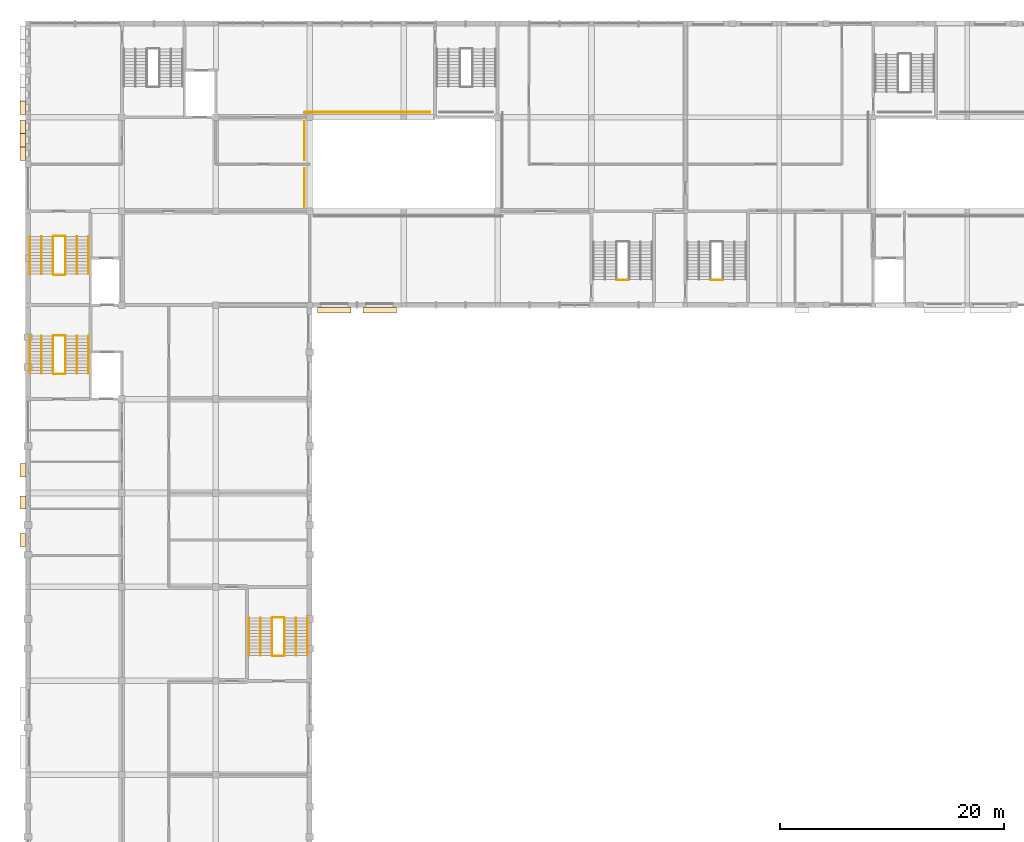
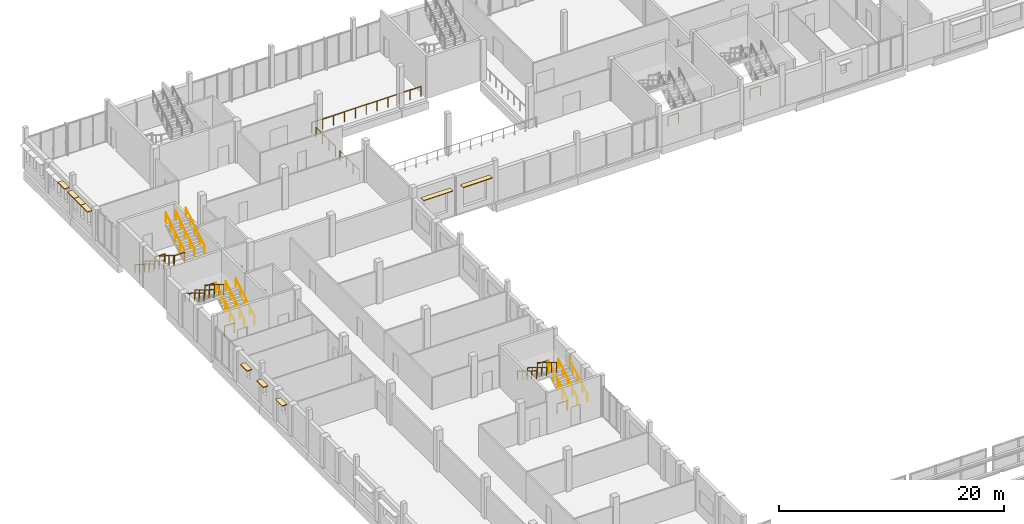
# One storey, part 111 of 116: 29 railings, 9 coverings.
"""IFC4 building model written with IfcOpenShell, lengths in metres."""

from ifc_helpers import new_model, si_unit, direction, frame, origin, origin_2d, place, context, subcontext, project, spatial, rectangle, circle, extrude, material, layer, layer_set, type_object, element, save


model = new_model("IFC4")

# Units and contexts
model_context = context("Model", 3, precision=1e-05, world=origin(), true_north=direction((0.0, 1.0)))
body_context = subcontext(model_context, "Body", "Model", "MODEL_VIEW")
ifc_project = project(units=[si_unit("LENGTHUNIT", "METRE"), si_unit("AREAUNIT", "SQUARE_METRE"), si_unit("VOLUMEUNIT", "CUBIC_METRE"), si_unit("PLANEANGLEUNIT", "RADIAN"), si_unit("MASSUNIT", "GRAM", prefix="KILO")], contexts=[model_context])

# Site, building, storey
site_placement = place(None, origin())
site = spatial("IfcSite", under=ifc_project, at=site_placement, CompositionType="ELEMENT")
building_placement = place(site_placement, origin())
building = spatial("IfcBuilding", under=site, at=building_placement, Name="Fescue Hill Polytechnic", CompositionType="ELEMENT")
storey_placement = place(building_placement, frame((0.0, 0.0, 13.5)))
storey = spatial("IfcBuildingStorey", under=building, at=storey_placement, Name="L03", CompositionType="ELEMENT", Elevation=13.5)

# Coverings
ifc_material_1 = material(Name="Precast concrete C40/50", Category="concrete")
ifc_layer = layer(ifc_material_1, 0.080078125)
ifc_layer_set = layer_set([ifc_layer], Name="Precast concrete C40/50")
covering_type = type_object("IfcCoveringType", Name="Shade blade precast 500x80", PredefinedType="CLADDING", material=ifc_layer_set)
for number, where, z_axis, x_axis, name in (
    (1, (-0.43994140625, 94.449951171875, 2.75), (0.0, 0.0, 1.0), (0.0, -1.0, 0.0), "SB-L03-V4-1"),
    (2, (-0.43994140625, 91.550048828125, 2.75), (0.0, 0.0, 1.0), (0.0, -1.0, 0.0), "SB-L03-V4-2"),
    (3, (-0.43994140625, 88.199951171875, 2.75), (0.0, 0.0, 1.0), (0.0, -1.0, 0.0), "SB-L03-V4-3"),
):
    element("IfcCovering", number, at=place(storey_placement, frame(where, z_axis=z_axis, x_axis=x_axis)), inside=storey, type_object=covering_type, Name=name, PredefinedType="CLADDING", context=body_context, shape_type="SweptSolid", body=[
        extrude(rectangle(XDim=1.199951171875, YDim=0.5, at=origin_2d()), origin(), (0.0, 0.0, 1.0), 0.080078125),
    ])
for number, where, z_axis, x_axis, name in (
    (4, (27.407470703125, 108.75, 3.050048828125), (0.0, 0.0, 1.0), (1.0, 0.0, 0.0), "SB-L03-V5-1"),
    (5, (31.4423828125, 108.75, 3.050048828125), (0.0, 0.0, 1.0), (1.0, 0.0, 0.0), "SB-L03-V5-2"),
):
    element("IfcCovering", number, at=place(storey_placement, frame(where, z_axis=z_axis, x_axis=x_axis)), inside=storey, type_object=covering_type, Name=name, PredefinedType="CLADDING", context=body_context, shape_type="SweptSolid", body=[
        extrude(rectangle(XDim=3.0, YDim=0.5, at=origin_2d()), origin(), (0.0, 0.0, 1.0), 0.080078125),
    ])
for number, where, z_axis, x_axis, name in (
    (6, (-0.4599609375, 126.85009765625, 2.849853515625), (0.0, 0.0, 1.0), (0.0, -1.0, 0.0), "SB-L03-V5-8"),
    (7, (-0.4599609375, 125.14990234375, 2.849853515625), (0.0, 0.0, 1.0), (0.0, -1.0, 0.0), "SB-L03-V5-9"),
    (8, (-0.4599609375, 123.949951171875, 2.849853515625), (0.0, 0.0, 1.0), (0.0, -1.0, 0.0), "SB-L03-V5-10"),
    (9, (-0.4599609375, 122.75, 2.849853515625), (0.0, 0.0, 1.0), (0.0, -1.0, 0.0), "SB-L03-V5-11"),
):
    element("IfcCovering", number, at=place(storey_placement, frame(where, z_axis=z_axis, x_axis=x_axis)), inside=storey, type_object=covering_type, Name=name, PredefinedType="CLADDING", context=body_context, shape_type="SweptSolid", body=[
        extrude(rectangle(XDim=1.199951171875, YDim=0.5, at=origin_2d()), origin(), (0.0, 0.0, 1.0), 0.080078125),
    ])

# Railings
ifc_material_2 = material(Name="Steel 350W (350 MPa)", Category="steel")
railing_type_1 = type_object("IfcRailingType", Name="Stair guard steel 1100", PredefinedType="GUARDRAIL", material=ifc_material_2)
railing_1_placement = place(storey_placement, frame((3.375, 103.074951171875, 0.173095703125)))
element("IfcRailing", 10, at=railing_1_placement, inside=storey, type_object=railing_type_1, Name="L03 ST-V4-2 stair guard 1", PredefinedType="GUARDRAIL", context=body_context, shape_type="SweptSolid", body=[
    extrude(circle(Radius=0.02392578125, at=origin_2d()), frame((0.0, 0.0, 1.076171875), z_axis=(0.0, 0.850623216509, 0.525775754039), x_axis=(-1.0, 0.0, 0.0)), (0.0, 0.0, 1.0), 3.9501953125),
    extrude(circle(Radius=0.02099609375, at=origin_2d()), origin(), (0.0, 0.0, 1.0), 1.052001953125),
    extrude(circle(Radius=0.02099609375, at=origin_2d()), frame((0.0, 0.840087890625, 0.519287109375)), (0.0, 0.0, 1.0), 1.052001953125),
    extrude(circle(Radius=0.02099609375, at=origin_2d()), frame((0.0, 1.68017578125, 1.03857421875)), (0.0, 0.0, 1.0), 1.052001953125),
    extrude(circle(Radius=0.02099609375, at=origin_2d()), frame((0.0, 2.52001953125, 1.5576171875)), (0.0, 0.0, 1.0), 1.052001953125),
    extrude(circle(Radius=0.02099609375, at=origin_2d()), frame((0.0, 3.360107421875, 2.076904296875)), (0.0, 0.0, 1.0), 1.052001953125),
])
railing_2_placement = place(storey_placement, frame((3.324951171875, 106.485107421875, 2.25)))
element("IfcRailing", 11, at=railing_2_placement, inside=storey, type_object=railing_type_1, Name="L03 ST-V4-2 stair guard 2", PredefinedType="GUARDRAIL", context=body_context, shape_type="SweptSolid", body=[
    extrude(circle(Radius=0.02392578125, at=origin_2d()), frame((0.0, 0.0, 1.076171875), z_axis=(-1.0, 0.0, 0.0), x_axis=(0.0, -1.0, 0.0)), (0.0, 0.0, 1.0), 1.02490234375),
    extrude(circle(Radius=0.02099609375, at=origin_2d()), origin(), (0.0, 0.0, 1.0), 1.052001953125),
    extrude(circle(Radius=0.02099609375, at=origin_2d()), frame((-1.02490234375, 0.0, 0.0)), (0.0, 0.0, 1.0), 1.052001953125),
])
railing_3_placement = place(storey_placement, frame((2.25, 106.43505859375, 2.423095703125)))
element("IfcRailing", 12, at=railing_3_placement, inside=storey, type_object=railing_type_1, Name="L03 ST-V4-2 stair guard 3", PredefinedType="GUARDRAIL", context=body_context, shape_type="SweptSolid", body=[
    extrude(circle(Radius=0.02392578125, at=origin_2d()), frame((0.0, 0.0, 1.076171875), z_axis=(0.0, -0.850623216509, 0.525775754039), x_axis=(1.0, 0.0, 0.0)), (0.0, 0.0, 1.0), 3.9501953125),
    extrude(circle(Radius=0.02099609375, at=origin_2d()), origin(), (0.0, 0.0, 1.0), 1.052001953125),
    extrude(circle(Radius=0.02099609375, at=origin_2d()), frame((0.0, -0.840087890625, 0.519287109375)), (0.0, 0.0, 1.0), 1.052001953125),
    extrude(circle(Radius=0.02099609375, at=origin_2d()), frame((0.0, -1.68017578125, 1.03857421875)), (0.0, 0.0, 1.0), 1.052001953125),
    extrude(circle(Radius=0.02099609375, at=origin_2d()), frame((0.0, -2.52001953125, 1.5576171875)), (0.0, 0.0, 1.0), 1.052001953125),
    extrude(circle(Radius=0.02099609375, at=origin_2d()), frame((0.0, -3.360107421875, 2.076904296875)), (0.0, 0.0, 1.0), 1.052001953125),
])
railing_4_placement = place(storey_placement, frame((3.324951171875, 103.02490234375, 0.0)))
element("IfcRailing", 13, at=railing_4_placement, inside=storey, type_object=railing_type_1, Name="L03 ST-V4-2 stair guard 4", PredefinedType="GUARDRAIL", context=body_context, shape_type="SweptSolid", body=[
    extrude(circle(Radius=0.02392578125, at=origin_2d()), frame((0.0, 0.0, 1.076171875), z_axis=(-1.0, 0.0, 0.0), x_axis=(0.0, -1.0, 0.0)), (0.0, 0.0, 1.0), 1.02490234375),
    extrude(circle(Radius=0.02099609375, at=origin_2d()), origin(), (0.0, 0.0, 1.0), 1.052001953125),
    extrude(circle(Radius=0.02099609375, at=origin_2d()), frame((-1.02490234375, 0.0, 0.0)), (0.0, 0.0, 1.0), 1.052001953125),
])
railing_5_placement = place(storey_placement, frame((22.949951171875, 77.875, 0.173095703125)))
element("IfcRailing", 14, at=railing_5_placement, inside=storey, type_object=railing_type_1, Name="L03 ST-V4-3 stair guard 1", PredefinedType="GUARDRAIL", context=body_context, shape_type="SweptSolid", body=[
    extrude(circle(Radius=0.02392578125, at=origin_2d()), frame((0.0, 0.0, 1.076171875), z_axis=(0.0, 0.850623216509, 0.525775754039), x_axis=(-1.0, 0.0, 0.0)), (0.0, 0.0, 1.0), 3.9501953125),
    extrude(circle(Radius=0.02099609375, at=origin_2d()), origin(), (0.0, 0.0, 1.0), 1.052001953125),
    extrude(circle(Radius=0.02099609375, at=origin_2d()), frame((0.0, 0.840087890625, 0.519287109375)), (0.0, 0.0, 1.0), 1.052001953125),
    extrude(circle(Radius=0.02099609375, at=origin_2d()), frame((0.0, 1.68017578125, 1.03857421875)), (0.0, 0.0, 1.0), 1.052001953125),
    extrude(circle(Radius=0.02099609375, at=origin_2d()), frame((0.0, 2.52001953125, 1.5576171875)), (0.0, 0.0, 1.0), 1.052001953125),
    extrude(circle(Radius=0.02099609375, at=origin_2d()), frame((0.0, 3.360107421875, 2.076904296875)), (0.0, 0.0, 1.0), 1.052001953125),
])
railing_6_placement = place(storey_placement, frame((22.89990234375, 81.284912109375, 2.25)))
element("IfcRailing", 15, at=railing_6_placement, inside=storey, type_object=railing_type_1, Name="L03 ST-V4-3 stair guard 2", PredefinedType="GUARDRAIL", context=body_context, shape_type="SweptSolid", body=[
    extrude(circle(Radius=0.02392578125, at=origin_2d()), frame((0.0, 0.0, 1.076171875), z_axis=(-1.0, 0.0, 0.0), x_axis=(0.0, -1.0, 0.0)), (0.0, 0.0, 1.0), 1.02490234375),
    extrude(circle(Radius=0.02099609375, at=origin_2d()), origin(), (0.0, 0.0, 1.0), 1.052001953125),
    extrude(circle(Radius=0.02099609375, at=origin_2d()), frame((-1.02490234375, 0.0, 0.0)), (0.0, 0.0, 1.0), 1.052001953125),
])
railing_7_placement = place(storey_placement, frame((21.824951171875, 81.235107421875, 2.423095703125)))
element("IfcRailing", 16, at=railing_7_placement, inside=storey, type_object=railing_type_1, Name="L03 ST-V4-3 stair guard 3", PredefinedType="GUARDRAIL", context=body_context, shape_type="SweptSolid", body=[
    extrude(circle(Radius=0.02392578125, at=origin_2d()), frame((0.0, 0.0, 1.076171875), z_axis=(0.0, -0.850623216509, 0.525775754039), x_axis=(1.0, 0.0, 0.0)), (0.0, 0.0, 1.0), 3.9501953125),
    extrude(circle(Radius=0.02099609375, at=origin_2d()), origin(), (0.0, 0.0, 1.0), 1.052001953125),
    extrude(circle(Radius=0.02099609375, at=origin_2d()), frame((0.0, -0.840087890625, 0.519287109375)), (0.0, 0.0, 1.0), 1.052001953125),
    extrude(circle(Radius=0.02099609375, at=origin_2d()), frame((0.0, -1.68017578125, 1.03857421875)), (0.0, 0.0, 1.0), 1.052001953125),
    extrude(circle(Radius=0.02099609375, at=origin_2d()), frame((0.0, -2.52001953125, 1.5576171875)), (0.0, 0.0, 1.0), 1.052001953125),
    extrude(circle(Radius=0.02099609375, at=origin_2d()), frame((0.0, -3.360107421875, 2.076904296875)), (0.0, 0.0, 1.0), 1.052001953125),
])
railing_8_placement = place(storey_placement, frame((22.89990234375, 77.824951171875, 0.0)))
element("IfcRailing", 17, at=railing_8_placement, inside=storey, type_object=railing_type_1, Name="L03 ST-V4-3 stair guard 4", PredefinedType="GUARDRAIL", context=body_context, shape_type="SweptSolid", body=[
    extrude(circle(Radius=0.02392578125, at=origin_2d()), frame((0.0, 0.0, 1.076171875), z_axis=(-1.0, 0.0, 0.0), x_axis=(0.0, -1.0, 0.0)), (0.0, 0.0, 1.0), 1.02490234375),
    extrude(circle(Radius=0.02099609375, at=origin_2d()), origin(), (0.0, 0.0, 1.0), 1.052001953125),
    extrude(circle(Radius=0.02099609375, at=origin_2d()), frame((-1.02490234375, 0.0, 0.0)), (0.0, 0.0, 1.0), 1.052001953125),
])
railing_9_placement = place(storey_placement, frame((2.25, 115.324951171875, 0.173095703125)))
element("IfcRailing", 18, at=railing_9_placement, inside=storey, type_object=railing_type_1, Name="L03 ST-V5-1 stair guard 1", PredefinedType="GUARDRAIL", context=body_context, shape_type="SweptSolid", body=[
    extrude(circle(Radius=0.02392578125, at=origin_2d()), frame((0.0, 0.0, 1.076171875), z_axis=(0.0, -0.850606129759, 0.525803396734), x_axis=(1.0, 0.0, 0.0)), (0.0, 0.0, 1.0), 3.949951171875),
    extrude(circle(Radius=0.02099609375, at=origin_2d()), origin(), (0.0, 0.0, 1.0), 1.052001953125),
    extrude(circle(Radius=0.02099609375, at=origin_2d()), frame((0.0, -0.83984375, 0.519287109375)), (0.0, 0.0, 1.0), 1.052001953125),
    extrude(circle(Radius=0.02099609375, at=origin_2d()), frame((0.0, -1.679931640625, 1.03857421875)), (0.0, 0.0, 1.0), 1.052001953125),
    extrude(circle(Radius=0.02099609375, at=origin_2d()), frame((0.0, -2.52001953125, 1.5576171875)), (0.0, 0.0, 1.0), 1.052001953125),
    extrude(circle(Radius=0.02099609375, at=origin_2d()), frame((0.0, -3.35986328125, 2.076904296875)), (0.0, 0.0, 1.0), 1.052001953125),
])
railing_10_placement = place(storey_placement, frame((2.300048828125, 111.9150390625, 2.25)))
element("IfcRailing", 19, at=railing_10_placement, inside=storey, type_object=railing_type_1, Name="L03 ST-V5-1 stair guard 2", PredefinedType="GUARDRAIL", context=body_context, shape_type="SweptSolid", body=[
    extrude(circle(Radius=0.02392578125, at=origin_2d()), frame((0.0, 0.0, 1.076171875), z_axis=(1.0, 0.0, 0.0), x_axis=(0.0, 1.0, 0.0)), (0.0, 0.0, 1.0), 1.02490234375),
    extrude(circle(Radius=0.02099609375, at=origin_2d()), origin(), (0.0, 0.0, 1.0), 1.052001953125),
    extrude(circle(Radius=0.02099609375, at=origin_2d()), frame((1.02490234375, 0.0, 0.0)), (0.0, 0.0, 1.0), 1.052001953125),
])
railing_11_placement = place(storey_placement, frame((3.375, 111.965087890625, 2.423095703125)))
element("IfcRailing", 20, at=railing_11_placement, inside=storey, type_object=railing_type_1, Name="L03 ST-V5-1 stair guard 3", PredefinedType="GUARDRAIL", context=body_context, shape_type="SweptSolid", body=[
    extrude(circle(Radius=0.02392578125, at=origin_2d()), frame((0.0, 0.0, 1.076171875), z_axis=(0.0, 0.850606129759, 0.525803396734), x_axis=(-1.0, 0.0, 0.0)), (0.0, 0.0, 1.0), 3.949951171875),
    extrude(circle(Radius=0.02099609375, at=origin_2d()), origin(), (0.0, 0.0, 1.0), 1.052001953125),
    extrude(circle(Radius=0.02099609375, at=origin_2d()), frame((0.0, 0.83984375, 0.519287109375)), (0.0, 0.0, 1.0), 1.052001953125),
    extrude(circle(Radius=0.02099609375, at=origin_2d()), frame((0.0, 1.679931640625, 1.03857421875)), (0.0, 0.0, 1.0), 1.052001953125),
    extrude(circle(Radius=0.02099609375, at=origin_2d()), frame((0.0, 2.52001953125, 1.5576171875)), (0.0, 0.0, 1.0), 1.052001953125),
    extrude(circle(Radius=0.02099609375, at=origin_2d()), frame((0.0, 3.35986328125, 2.076904296875)), (0.0, 0.0, 1.0), 1.052001953125),
])
railing_12_placement = place(storey_placement, frame((2.300048828125, 115.375, 0.0)))
element("IfcRailing", 21, at=railing_12_placement, inside=storey, type_object=railing_type_1, Name="L03 ST-V5-1 stair guard 4", PredefinedType="GUARDRAIL", context=body_context, shape_type="SweptSolid", body=[
    extrude(circle(Radius=0.02392578125, at=origin_2d()), frame((0.0, 0.0, 1.076171875), z_axis=(1.0, 0.0, 0.0), x_axis=(0.0, 1.0, 0.0)), (0.0, 0.0, 1.0), 1.02490234375),
    extrude(circle(Radius=0.02099609375, at=origin_2d()), origin(), (0.0, 0.0, 1.0), 1.052001953125),
    extrude(circle(Radius=0.02099609375, at=origin_2d()), frame((1.02490234375, 0.0, 0.0)), (0.0, 0.0, 1.0), 1.052001953125),
])
for number, where, name in (
    (22, (53.72509765625, 111.449951171875, 0.0), "L03 ST-V5-4 stair guard 4"),
    (23, (62.125, 111.449951171875, 0.0), "L03 ST-V4b-1 stair guard 4"),
):
    element("IfcRailing", number, at=place(storey_placement, frame(where)), inside=storey, type_object=railing_type_1, Name=name, PredefinedType="GUARDRAIL", context=body_context, shape_type="SweptSolid", body=[
        extrude(circle(Radius=0.02392578125, at=origin_2d()), frame((0.0, 0.0, 1.076171875), z_axis=(-1.0, 0.0, 0.0), x_axis=(0.0, -1.0, 0.0)), (0.0, 0.0, 1.0), 1.050048828125),
        extrude(circle(Radius=0.02099609375, at=origin_2d()), origin(), (0.0, 0.0, 1.0), 1.052001953125),
        extrude(circle(Radius=0.02099609375, at=origin_2d()), frame((-1.050048828125, 0.0, 0.0)), (0.0, 0.0, 1.0), 1.052001953125),
    ])
railing_type_2 = type_object("IfcRailingType", Name="Stair handrail steel 900", PredefinedType="HANDRAIL", material=ifc_material_2)
railing_13_placement = place(storey_placement, frame((5.425048828125, 103.074951171875, 0.173095703125)))
element("IfcRailing", 24, at=railing_13_placement, inside=storey, type_object=railing_type_2, Name="L03 ST-V4-2 stair handrail 1", PredefinedType="HANDRAIL", context=body_context, shape_type="SweptSolid", body=[
    extrude(circle(Radius=0.02392578125, at=origin_2d()), frame((0.0, 0.0, 0.8759765625), z_axis=(0.0, 0.850623216509, 0.525775754039), x_axis=(-1.0, 0.0, 0.0)), (0.0, 0.0, 1.0), 3.9501953125),
    extrude(circle(Radius=0.02099609375, at=origin_2d()), origin(), (0.0, 0.0, 1.0), 0.851806640625),
    extrude(circle(Radius=0.02099609375, at=origin_2d()), frame((0.0, 0.840087890625, 0.519287109375)), (0.0, 0.0, 1.0), 0.851806640625),
    extrude(circle(Radius=0.02099609375, at=origin_2d()), frame((0.0, 1.68017578125, 1.03857421875)), (0.0, 0.0, 1.0), 0.851806640625),
    extrude(circle(Radius=0.02099609375, at=origin_2d()), frame((0.0, 2.52001953125, 1.5576171875)), (0.0, 0.0, 1.0), 0.851806640625),
    extrude(circle(Radius=0.02099609375, at=origin_2d()), frame((0.0, 3.360107421875, 2.076904296875)), (0.0, 0.0, 1.0), 0.851806640625),
])
railing_14_placement = place(storey_placement, frame((0.199951171875, 106.43505859375, 2.423095703125)))
element("IfcRailing", 25, at=railing_14_placement, inside=storey, type_object=railing_type_2, Name="L03 ST-V4-2 stair handrail 2", PredefinedType="HANDRAIL", context=body_context, shape_type="SweptSolid", body=[
    extrude(circle(Radius=0.02392578125, at=origin_2d()), frame((0.0, 0.0, 0.8759765625), z_axis=(0.0, -0.850623216509, 0.525775754039), x_axis=(1.0, 0.0, 0.0)), (0.0, 0.0, 1.0), 3.9501953125),
    extrude(circle(Radius=0.02099609375, at=origin_2d()), origin(), (0.0, 0.0, 1.0), 0.851806640625),
    extrude(circle(Radius=0.02099609375, at=origin_2d()), frame((0.0, -0.840087890625, 0.519287109375)), (0.0, 0.0, 1.0), 0.851806640625),
    extrude(circle(Radius=0.02099609375, at=origin_2d()), frame((0.0, -1.68017578125, 1.03857421875)), (0.0, 0.0, 1.0), 0.851806640625),
    extrude(circle(Radius=0.02099609375, at=origin_2d()), frame((0.0, -2.52001953125, 1.5576171875)), (0.0, 0.0, 1.0), 0.851806640625),
    extrude(circle(Radius=0.02099609375, at=origin_2d()), frame((0.0, -3.360107421875, 2.076904296875)), (0.0, 0.0, 1.0), 0.851806640625),
])
railing_15_placement = place(storey_placement, frame((4.39990234375, 103.074951171875, 0.173095703125)))
element("IfcRailing", 26, at=railing_15_placement, inside=storey, type_object=railing_type_2, Name="L03 ST-V4-2 stair handrail 3", PredefinedType="HANDRAIL", context=body_context, shape_type="SweptSolid", body=[
    extrude(circle(Radius=0.02392578125, at=origin_2d()), frame((0.0, 0.0, 0.8759765625), z_axis=(0.0, 0.850623216509, 0.525775754039), x_axis=(-1.0, 0.0, 0.0)), (0.0, 0.0, 1.0), 3.9501953125),
    extrude(circle(Radius=0.02099609375, at=origin_2d()), origin(), (0.0, 0.0, 1.0), 0.851806640625),
    extrude(circle(Radius=0.02099609375, at=origin_2d()), frame((0.0, 0.840087890625, 0.519287109375)), (0.0, 0.0, 1.0), 0.851806640625),
    extrude(circle(Radius=0.02099609375, at=origin_2d()), frame((0.0, 1.68017578125, 1.03857421875)), (0.0, 0.0, 1.0), 0.851806640625),
    extrude(circle(Radius=0.02099609375, at=origin_2d()), frame((0.0, 2.52001953125, 1.5576171875)), (0.0, 0.0, 1.0), 0.851806640625),
    extrude(circle(Radius=0.02099609375, at=origin_2d()), frame((0.0, 3.360107421875, 2.076904296875)), (0.0, 0.0, 1.0), 0.851806640625),
])
railing_16_placement = place(storey_placement, frame((1.22509765625, 106.43505859375, 2.423095703125)))
element("IfcRailing", 27, at=railing_16_placement, inside=storey, type_object=railing_type_2, Name="L03 ST-V4-2 stair handrail 4", PredefinedType="HANDRAIL", context=body_context, shape_type="SweptSolid", body=[
    extrude(circle(Radius=0.02392578125, at=origin_2d()), frame((0.0, 0.0, 0.8759765625), z_axis=(0.0, -0.850623216509, 0.525775754039), x_axis=(1.0, 0.0, 0.0)), (0.0, 0.0, 1.0), 3.9501953125),
    extrude(circle(Radius=0.02099609375, at=origin_2d()), origin(), (0.0, 0.0, 1.0), 0.851806640625),
    extrude(circle(Radius=0.02099609375, at=origin_2d()), frame((0.0, -0.840087890625, 0.519287109375)), (0.0, 0.0, 1.0), 0.851806640625),
    extrude(circle(Radius=0.02099609375, at=origin_2d()), frame((0.0, -1.68017578125, 1.03857421875)), (0.0, 0.0, 1.0), 0.851806640625),
    extrude(circle(Radius=0.02099609375, at=origin_2d()), frame((0.0, -2.52001953125, 1.5576171875)), (0.0, 0.0, 1.0), 0.851806640625),
    extrude(circle(Radius=0.02099609375, at=origin_2d()), frame((0.0, -3.360107421875, 2.076904296875)), (0.0, 0.0, 1.0), 0.851806640625),
])
railing_17_placement = place(storey_placement, frame((25.0, 77.875, 0.173095703125)))
element("IfcRailing", 28, at=railing_17_placement, inside=storey, type_object=railing_type_2, Name="L03 ST-V4-3 stair handrail 1", PredefinedType="HANDRAIL", context=body_context, shape_type="SweptSolid", body=[
    extrude(circle(Radius=0.02392578125, at=origin_2d()), frame((0.0, 0.0, 0.8759765625), z_axis=(0.0, 0.850623216509, 0.525775754039), x_axis=(-1.0, 0.0, 0.0)), (0.0, 0.0, 1.0), 3.9501953125),
    extrude(circle(Radius=0.02099609375, at=origin_2d()), origin(), (0.0, 0.0, 1.0), 0.851806640625),
    extrude(circle(Radius=0.02099609375, at=origin_2d()), frame((0.0, 0.840087890625, 0.519287109375)), (0.0, 0.0, 1.0), 0.851806640625),
    extrude(circle(Radius=0.02099609375, at=origin_2d()), frame((0.0, 1.68017578125, 1.03857421875)), (0.0, 0.0, 1.0), 0.851806640625),
    extrude(circle(Radius=0.02099609375, at=origin_2d()), frame((0.0, 2.52001953125, 1.5576171875)), (0.0, 0.0, 1.0), 0.851806640625),
    extrude(circle(Radius=0.02099609375, at=origin_2d()), frame((0.0, 3.360107421875, 2.076904296875)), (0.0, 0.0, 1.0), 0.851806640625),
])
railing_18_placement = place(storey_placement, frame((19.77490234375, 81.235107421875, 2.423095703125)))
element("IfcRailing", 29, at=railing_18_placement, inside=storey, type_object=railing_type_2, Name="L03 ST-V4-3 stair handrail 2", PredefinedType="HANDRAIL", context=body_context, shape_type="SweptSolid", body=[
    extrude(circle(Radius=0.02392578125, at=origin_2d()), frame((0.0, 0.0, 0.8759765625), z_axis=(0.0, -0.850623216509, 0.525775754039), x_axis=(1.0, 0.0, 0.0)), (0.0, 0.0, 1.0), 3.9501953125),
    extrude(circle(Radius=0.02099609375, at=origin_2d()), origin(), (0.0, 0.0, 1.0), 0.851806640625),
    extrude(circle(Radius=0.02099609375, at=origin_2d()), frame((0.0, -0.840087890625, 0.519287109375)), (0.0, 0.0, 1.0), 0.851806640625),
    extrude(circle(Radius=0.02099609375, at=origin_2d()), frame((0.0, -1.68017578125, 1.03857421875)), (0.0, 0.0, 1.0), 0.851806640625),
    extrude(circle(Radius=0.02099609375, at=origin_2d()), frame((0.0, -2.52001953125, 1.5576171875)), (0.0, 0.0, 1.0), 0.851806640625),
    extrude(circle(Radius=0.02099609375, at=origin_2d()), frame((0.0, -3.360107421875, 2.076904296875)), (0.0, 0.0, 1.0), 0.851806640625),
])
railing_19_placement = place(storey_placement, frame((23.97509765625, 77.875, 0.173095703125)))
element("IfcRailing", 30, at=railing_19_placement, inside=storey, type_object=railing_type_2, Name="L03 ST-V4-3 stair handrail 3", PredefinedType="HANDRAIL", context=body_context, shape_type="SweptSolid", body=[
    extrude(circle(Radius=0.02392578125, at=origin_2d()), frame((0.0, 0.0, 0.8759765625), z_axis=(0.0, 0.850623216509, 0.525775754039), x_axis=(-1.0, 0.0, 0.0)), (0.0, 0.0, 1.0), 3.9501953125),
    extrude(circle(Radius=0.02099609375, at=origin_2d()), origin(), (0.0, 0.0, 1.0), 0.851806640625),
    extrude(circle(Radius=0.02099609375, at=origin_2d()), frame((0.0, 0.840087890625, 0.519287109375)), (0.0, 0.0, 1.0), 0.851806640625),
    extrude(circle(Radius=0.02099609375, at=origin_2d()), frame((0.0, 1.68017578125, 1.03857421875)), (0.0, 0.0, 1.0), 0.851806640625),
    extrude(circle(Radius=0.02099609375, at=origin_2d()), frame((0.0, 2.52001953125, 1.5576171875)), (0.0, 0.0, 1.0), 0.851806640625),
    extrude(circle(Radius=0.02099609375, at=origin_2d()), frame((0.0, 3.360107421875, 2.076904296875)), (0.0, 0.0, 1.0), 0.851806640625),
])
railing_20_placement = place(storey_placement, frame((20.800048828125, 81.235107421875, 2.423095703125)))
element("IfcRailing", 31, at=railing_20_placement, inside=storey, type_object=railing_type_2, Name="L03 ST-V4-3 stair handrail 4", PredefinedType="HANDRAIL", context=body_context, shape_type="SweptSolid", body=[
    extrude(circle(Radius=0.02392578125, at=origin_2d()), frame((0.0, 0.0, 0.8759765625), z_axis=(0.0, -0.850623216509, 0.525775754039), x_axis=(1.0, 0.0, 0.0)), (0.0, 0.0, 1.0), 3.9501953125),
    extrude(circle(Radius=0.02099609375, at=origin_2d()), origin(), (0.0, 0.0, 1.0), 0.851806640625),
    extrude(circle(Radius=0.02099609375, at=origin_2d()), frame((0.0, -0.840087890625, 0.519287109375)), (0.0, 0.0, 1.0), 0.851806640625),
    extrude(circle(Radius=0.02099609375, at=origin_2d()), frame((0.0, -1.68017578125, 1.03857421875)), (0.0, 0.0, 1.0), 0.851806640625),
    extrude(circle(Radius=0.02099609375, at=origin_2d()), frame((0.0, -2.52001953125, 1.5576171875)), (0.0, 0.0, 1.0), 0.851806640625),
    extrude(circle(Radius=0.02099609375, at=origin_2d()), frame((0.0, -3.360107421875, 2.076904296875)), (0.0, 0.0, 1.0), 0.851806640625),
])
railing_21_placement = place(storey_placement, frame((0.199951171875, 115.324951171875, 0.173095703125)))
element("IfcRailing", 32, at=railing_21_placement, inside=storey, type_object=railing_type_2, Name="L03 ST-V5-1 stair handrail 1", PredefinedType="HANDRAIL", context=body_context, shape_type="SweptSolid", body=[
    extrude(circle(Radius=0.02392578125, at=origin_2d()), frame((0.0, 0.0, 0.8759765625), z_axis=(0.0, -0.850606129759, 0.525803396734), x_axis=(1.0, 0.0, 0.0)), (0.0, 0.0, 1.0), 3.949951171875),
    extrude(circle(Radius=0.02099609375, at=origin_2d()), origin(), (0.0, 0.0, 1.0), 0.851806640625),
    extrude(circle(Radius=0.02099609375, at=origin_2d()), frame((0.0, -0.83984375, 0.519287109375)), (0.0, 0.0, 1.0), 0.851806640625),
    extrude(circle(Radius=0.02099609375, at=origin_2d()), frame((0.0, -1.679931640625, 1.03857421875)), (0.0, 0.0, 1.0), 0.851806640625),
    extrude(circle(Radius=0.02099609375, at=origin_2d()), frame((0.0, -2.52001953125, 1.5576171875)), (0.0, 0.0, 1.0), 0.851806640625),
    extrude(circle(Radius=0.02099609375, at=origin_2d()), frame((0.0, -3.35986328125, 2.076904296875)), (0.0, 0.0, 1.0), 0.851806640625),
])
railing_22_placement = place(storey_placement, frame((5.425048828125, 111.965087890625, 2.423095703125)))
element("IfcRailing", 33, at=railing_22_placement, inside=storey, type_object=railing_type_2, Name="L03 ST-V5-1 stair handrail 2", PredefinedType="HANDRAIL", context=body_context, shape_type="SweptSolid", body=[
    extrude(circle(Radius=0.02392578125, at=origin_2d()), frame((0.0, 0.0, 0.8759765625), z_axis=(0.0, 0.850606129759, 0.525803396734), x_axis=(-1.0, 0.0, 0.0)), (0.0, 0.0, 1.0), 3.949951171875),
    extrude(circle(Radius=0.02099609375, at=origin_2d()), origin(), (0.0, 0.0, 1.0), 0.851806640625),
    extrude(circle(Radius=0.02099609375, at=origin_2d()), frame((0.0, 0.83984375, 0.519287109375)), (0.0, 0.0, 1.0), 0.851806640625),
    extrude(circle(Radius=0.02099609375, at=origin_2d()), frame((0.0, 1.679931640625, 1.03857421875)), (0.0, 0.0, 1.0), 0.851806640625),
    extrude(circle(Radius=0.02099609375, at=origin_2d()), frame((0.0, 2.52001953125, 1.5576171875)), (0.0, 0.0, 1.0), 0.851806640625),
    extrude(circle(Radius=0.02099609375, at=origin_2d()), frame((0.0, 3.35986328125, 2.076904296875)), (0.0, 0.0, 1.0), 0.851806640625),
])
railing_23_placement = place(storey_placement, frame((1.22509765625, 115.324951171875, 0.173095703125)))
element("IfcRailing", 34, at=railing_23_placement, inside=storey, type_object=railing_type_2, Name="L03 ST-V5-1 stair handrail 3", PredefinedType="HANDRAIL", context=body_context, shape_type="SweptSolid", body=[
    extrude(circle(Radius=0.02392578125, at=origin_2d()), frame((0.0, 0.0, 0.8759765625), z_axis=(0.0, -0.850606129759, 0.525803396734), x_axis=(1.0, 0.0, 0.0)), (0.0, 0.0, 1.0), 3.949951171875),
    extrude(circle(Radius=0.02099609375, at=origin_2d()), origin(), (0.0, 0.0, 1.0), 0.851806640625),
    extrude(circle(Radius=0.02099609375, at=origin_2d()), frame((0.0, -0.83984375, 0.519287109375)), (0.0, 0.0, 1.0), 0.851806640625),
    extrude(circle(Radius=0.02099609375, at=origin_2d()), frame((0.0, -1.679931640625, 1.03857421875)), (0.0, 0.0, 1.0), 0.851806640625),
    extrude(circle(Radius=0.02099609375, at=origin_2d()), frame((0.0, -2.52001953125, 1.5576171875)), (0.0, 0.0, 1.0), 0.851806640625),
    extrude(circle(Radius=0.02099609375, at=origin_2d()), frame((0.0, -3.35986328125, 2.076904296875)), (0.0, 0.0, 1.0), 0.851806640625),
])
railing_24_placement = place(storey_placement, frame((4.39990234375, 111.965087890625, 2.423095703125)))
element("IfcRailing", 35, at=railing_24_placement, inside=storey, type_object=railing_type_2, Name="L03 ST-V5-1 stair handrail 4", PredefinedType="HANDRAIL", context=body_context, shape_type="SweptSolid", body=[
    extrude(circle(Radius=0.02392578125, at=origin_2d()), frame((0.0, 0.0, 0.8759765625), z_axis=(0.0, 0.850606129759, 0.525803396734), x_axis=(-1.0, 0.0, 0.0)), (0.0, 0.0, 1.0), 3.949951171875),
    extrude(circle(Radius=0.02099609375, at=origin_2d()), origin(), (0.0, 0.0, 1.0), 0.851806640625),
    extrude(circle(Radius=0.02099609375, at=origin_2d()), frame((0.0, 0.83984375, 0.519287109375)), (0.0, 0.0, 1.0), 0.851806640625),
    extrude(circle(Radius=0.02099609375, at=origin_2d()), frame((0.0, 1.679931640625, 1.03857421875)), (0.0, 0.0, 1.0), 0.851806640625),
    extrude(circle(Radius=0.02099609375, at=origin_2d()), frame((0.0, 2.52001953125, 1.5576171875)), (0.0, 0.0, 1.0), 0.851806640625),
    extrude(circle(Radius=0.02099609375, at=origin_2d()), frame((0.0, 3.35986328125, 2.076904296875)), (0.0, 0.0, 1.0), 0.851806640625),
])
railing_type_3 = type_object("IfcRailingType", Name="Void edge guard steel 1100", PredefinedType="GUARDRAIL", material=ifc_material_2)
for number, where, name in (
    (36, (24.75, 117.97509765625, 0.0), "L03 V5 void edge guard 3"),
    (37, (24.75, 122.175048828125, 0.0), "L03 V5 void edge guard 4"),
):
    element("IfcRailing", number, at=place(storey_placement, frame(where)), inside=storey, type_object=railing_type_3, Name=name, PredefinedType="GUARDRAIL", context=body_context, shape_type="SweptSolid", body=[
        extrude(circle(Radius=0.02392578125, at=origin_2d()), frame((0.0, 0.0, 1.076171875), z_axis=(0.0, 1.0, 0.0), x_axis=(-1.0, 0.0, 0.0)), (0.0, 0.0, 1.0), 3.449951171875),
        extrude(circle(Radius=0.02099609375, at=origin_2d()), origin(), (0.0, 0.0, 1.0), 1.052001953125),
        extrude(circle(Radius=0.02099609375, at=origin_2d()), frame((0.0, 1.14990234375, 0.0)), (0.0, 0.0, 1.0), 1.052001953125),
        extrude(circle(Radius=0.02099609375, at=origin_2d()), frame((0.0, 2.300048828125, 0.0)), (0.0, 0.0, 1.0), 1.052001953125),
        extrude(circle(Radius=0.02099609375, at=origin_2d()), frame((0.0, 3.449951171875, 0.0)), (0.0, 0.0, 1.0), 1.052001953125),
    ])
railing_25_placement = place(storey_placement, frame((24.75, 126.375, 0.0)))
element("IfcRailing", 38, at=railing_25_placement, inside=storey, type_object=railing_type_3, Name="L03 V5 void edge guard 5", PredefinedType="GUARDRAIL", context=body_context, shape_type="SweptSolid", body=[
    extrude(circle(Radius=0.02392578125, at=origin_2d()), frame((0.0, 0.0, 1.076171875), z_axis=(0.0, 1.0, 0.0), x_axis=(-1.0, 0.0, 0.0)), (0.0, 0.0, 1.0), 0.074951171875),
    extrude(circle(Radius=0.02392578125, at=origin_2d()), frame((0.0, 0.074951171875, 1.076171875), z_axis=(1.0, 0.0, 0.0), x_axis=(0.0, 1.0, 0.0)), (0.0, 0.0, 1.0), 11.22509765625),
    extrude(circle(Radius=0.02099609375, at=origin_2d()), origin(), (0.0, 0.0, 1.0), 1.052001953125),
    extrude(circle(Radius=0.02099609375, at=origin_2d()), frame((0.0, 0.074951171875, 0.0)), (0.0, 0.0, 1.0), 1.052001953125),
    extrude(circle(Radius=0.02099609375, at=origin_2d()), frame((1.12255859375, 0.074951171875, 0.0)), (0.0, 0.0, 1.0), 1.052001953125),
    extrude(circle(Radius=0.02099609375, at=origin_2d()), frame((2.2451171875, 0.074951171875, 0.0)), (0.0, 0.0, 1.0), 1.052001953125),
    extrude(circle(Radius=0.02099609375, at=origin_2d()), frame((3.367431640625, 0.074951171875, 0.0)), (0.0, 0.0, 1.0), 1.052001953125),
    extrude(circle(Radius=0.02099609375, at=origin_2d()), frame((4.489990234375, 0.074951171875, 0.0)), (0.0, 0.0, 1.0), 1.052001953125),
    extrude(circle(Radius=0.02099609375, at=origin_2d()), frame((5.612548828125, 0.074951171875, 0.0)), (0.0, 0.0, 1.0), 1.052001953125),
    extrude(circle(Radius=0.02099609375, at=origin_2d()), frame((6.735107421875, 0.074951171875, 0.0)), (0.0, 0.0, 1.0), 1.052001953125),
    extrude(circle(Radius=0.02099609375, at=origin_2d()), frame((7.857666015625, 0.074951171875, 0.0)), (0.0, 0.0, 1.0), 1.052001953125),
    extrude(circle(Radius=0.02099609375, at=origin_2d()), frame((8.97998046875, 0.074951171875, 0.0)), (0.0, 0.0, 1.0), 1.052001953125),
    extrude(circle(Radius=0.02099609375, at=origin_2d()), frame((10.1025390625, 0.074951171875, 0.0)), (0.0, 0.0, 1.0), 1.052001953125),
    extrude(circle(Radius=0.02099609375, at=origin_2d()), frame((11.22509765625, 0.074951171875, 0.0)), (0.0, 0.0, 1.0), 1.052001953125),
])

save(model, "model.ifc")
